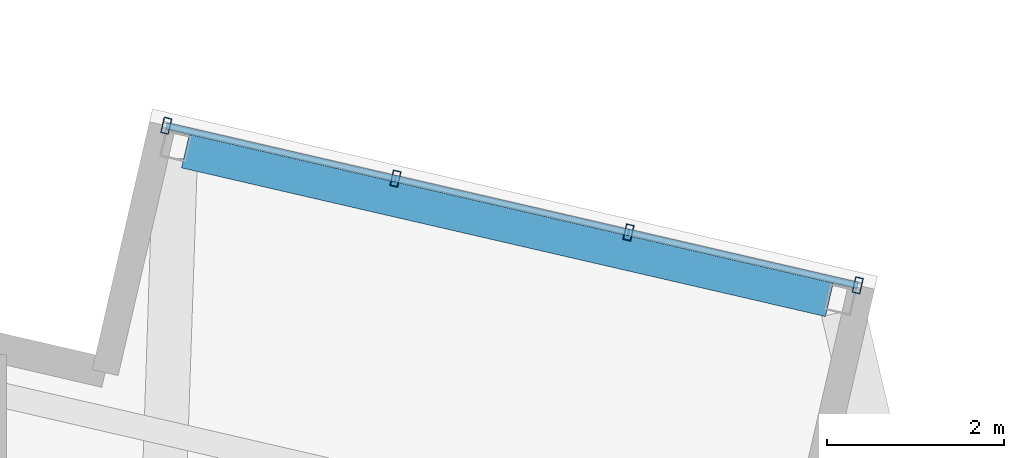
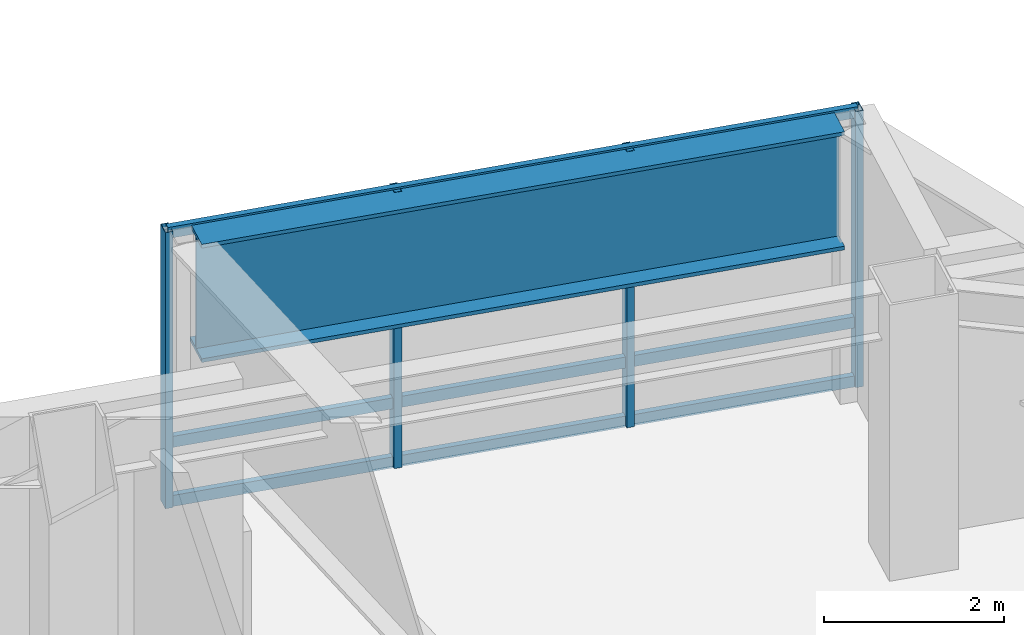
# One storey, part 10 of 23: 7 members, 1 beam, 1 element without a shape of its own.
"""IFC4 building model written with IfcOpenShell, lengths in metres."""

import ifcopenshell
import ifcopenshell.guid

model = None  # the IFC model being written
_history = None  # IfcOwnerHistory: only IFC2X3 demands one
_inside = {}  # id of a spatial element -> (the spatial element, [elements in it])
_under = {}  # id of a project, library or spatial element -> (it, [spatial elements below it])
_declared = {}  # id of a project -> (the project, [libraries it declares])
_typed = {}  # id of a type object -> (the type object, [elements of that type])
_made_of = {}  # id of a material, layer set ... -> (it, [elements and type objects made of it])


def new_model(schema):
    """Start an empty IFC model of exactly this schema.

    Asked for "IFC4X3", IfcOpenShell would pick the latest addendum, in which some entities
    have other attributes; the version numbers below select the first issue.
    IFC2X3 requires an IfcOwnerHistory on every rooted entity: one is made here for all.
    """
    global model, _history
    if schema == "IFC4X3":
        model = ifcopenshell.file(schema_version=(4, 3, 0, 0))
    else:
        model = ifcopenshell.file(schema=schema)
    _inside.clear()
    _under.clear()
    _declared.clear()
    _typed.clear()
    _made_of.clear()
    _history = None
    if model.schema == "IFC2X3":
        org = make("IfcOrganization", Name="unknown")
        user = make(
            "IfcPersonAndOrganization",
            ThePerson=make("IfcPerson", FamilyName="unknown"),
            TheOrganization=org,
        )
        app = make(
            "IfcApplication",
            ApplicationDeveloper=org,
            Version="unknown",
            ApplicationFullName="unknown",
            ApplicationIdentifier="unknown",
        )
        _history = make(
            "IfcOwnerHistory",
            OwningUser=user,
            OwningApplication=app,
            ChangeAction="ADDED",
            CreationDate=0,
        )
    return model


def make(cls, **values):
    """One entity of the class cls with the attributes given. An attribute that is None is left unset."""
    return model.create_entity(
        cls, **{name: value for name, value in values.items() if value is not None}
    )


def rooted(cls, **values):
    """An entity with a GlobalId (a new one), such as an element, a storey or a relation."""
    return make(cls, GlobalId=ifcopenshell.guid.new(), OwnerHistory=_history, **values)


def si_unit(unit_type, name, prefix=None):
    """IfcSIUnit, for example si_unit("LENGTHUNIT", "METRE", prefix="MILLI")."""
    return make("IfcSIUnit", UnitType=unit_type, Prefix=prefix, Name=name)


def assignment(units):
    """IfcUnitAssignment: the units of a project."""
    return None if units is None else make("IfcUnitAssignment", Units=units)


def point(xyz):
    """IfcCartesianPoint."""
    return None if xyz is None else make("IfcCartesianPoint", Coordinates=xyz)


def direction(xyz):
    """IfcDirection."""
    return None if xyz is None else make("IfcDirection", DirectionRatios=xyz)


def frame(location, z_axis=None, x_axis=None):
    """IfcAxis2Placement3D, a coordinate frame: its origin and axes. An axis left out is left unset."""
    return make(
        "IfcAxis2Placement3D",
        Location=point(location),
        Axis=direction(z_axis),
        RefDirection=direction(x_axis),
    )


def frame_2d(location, x_axis=None):
    """IfcAxis2Placement2D, a coordinate frame in the plane: its origin and x axis."""
    return make(
        "IfcAxis2Placement2D", Location=point(location), RefDirection=direction(x_axis)
    )


def origin():
    """The frame at (0, 0, 0) with its axes left unset."""
    return frame((0.0, 0.0, 0.0))


def origin_2d():
    """The frame at (0, 0) in the plane with its x axis left unset."""
    return frame_2d((0.0, 0.0))


def place(relative_to, where):
    """IfcLocalPlacement: puts the frame where relative to a parent placement (None: the world)."""
    return make(
        "IfcLocalPlacement", PlacementRelTo=relative_to, RelativePlacement=where
    )


def context(
    kind, dimensions, precision=None, world=None, true_north=None, identifier=None
):
    """IfcGeometricRepresentationContext, for example the 3D "Model" context."""
    return make(
        "IfcGeometricRepresentationContext",
        ContextIdentifier=identifier,
        ContextType=kind,
        CoordinateSpaceDimension=dimensions,
        Precision=precision,
        WorldCoordinateSystem=world,
        TrueNorth=true_north,
    )


def subcontext(parent, identifier, kind, view, scale=None):
    """IfcGeometricRepresentationSubContext, for example "Body" below "Model"."""
    return make(
        "IfcGeometricRepresentationSubContext",
        ContextIdentifier=identifier,
        ContextType=kind,
        ParentContext=parent,
        TargetScale=scale,
        TargetView=view,
    )


def project(units=None, contexts=None):
    """IfcProject with its units and contexts."""
    return rooted(
        "IfcProject",
        Name="project",
        RepresentationContexts=contexts,
        UnitsInContext=assignment(units),
    )


def spatial(cls, under=None, at=None, **own):
    """A site, building, storey or space (cls), placed at a placement, below another one or the project."""
    s = rooted(cls, ObjectPlacement=at, **own)
    if under is not None:
        _under.setdefault(under.id(), (under, []))[1].append(s)
    return s


def profile(cls, at=None, kind="AREA", **sizes):
    """A parametric profile (cls). Its sizes go by their IFC names, for example OverallWidth=200.0."""
    return make(cls, ProfileType=kind, Position=at, **sizes)


def hollow_rectangle(**sizes):
    """IfcRectangleHollowProfileDef."""
    return profile("IfcRectangleHollowProfileDef", **sizes)


def i_section(**sizes):
    """IfcIShapeProfileDef."""
    return profile("IfcIShapeProfileDef", **sizes)


def extrude(swept, where, along, depth):
    """IfcExtrudedAreaSolid: the profile swept, set in the frame where, extruded along a direction by depth."""
    return make(
        "IfcExtrudedAreaSolid",
        SweptArea=swept,
        Position=where,
        ExtrudedDirection=direction(along),
        Depth=depth,
    )


def shape(context_of_items, identifier, shape_type, items):
    """IfcShapeRepresentation: the items that make up one representation, for example the "Body"."""
    return make(
        "IfcShapeRepresentation",
        ContextOfItems=context_of_items,
        RepresentationIdentifier=identifier,
        RepresentationType=shape_type,
        Items=items,
    )


def material(Name=None, Category=None):
    """IfcMaterial."""
    return make("IfcMaterial", Name=Name, Category=Category)


def layer(
    of_material, thickness, ventilated=None, Name=None, Category=None, Priority=None
):
    """IfcMaterialLayer: one layer of a wall or slab, of a material (None: an air gap)."""
    return make(
        "IfcMaterialLayer",
        Material=of_material,
        LayerThickness=thickness,
        IsVentilated=ventilated,
        Name=Name,
        Category=Category,
        Priority=Priority,
    )


def layer_set(layers, Name=None):
    """IfcMaterialLayerSet."""
    return make("IfcMaterialLayerSet", MaterialLayers=layers, LayerSetName=Name)


def material_profile(
    of_material, cross_section, Name=None, Category=None, Priority=None
):
    """IfcMaterialProfile: a cross section and its material."""
    return make(
        "IfcMaterialProfile",
        Name=Name,
        Material=of_material,
        Profile=cross_section,
        Priority=Priority,
        Category=Category,
    )


def profile_set(profiles, Name=None, composite=None):
    """IfcMaterialProfileSet."""
    return make(
        "IfcMaterialProfileSet",
        Name=Name,
        MaterialProfiles=profiles,
        CompositeProfile=composite,
    )


def made_of(thing, what):
    """Note that an element or type object is made of a material, layer set ...; save() writes the relation."""
    if what is not None:
        _made_of.setdefault(what.id(), (what, []))[1].append(thing)
    return thing


def type_object(cls, material=None, **own):
    """A type object (cls), such as IfcWallType, which elements share."""
    return made_of(rooted(cls, **own), material)


def element(
    cls,
    number,
    at=None,
    inside=None,
    cuts=None,
    type_object=None,
    material=None,
    context=None,
    identifier="Body",
    shape_type=None,
    held_by="IfcProductDefinitionShape",
    body=None,
    shapes=None,
    **own,
):
    """One element of the class cls, such as IfcWall. Its Tag is "e" and its number.

    at: its placement. inside: the storey or other place that contains it. cuts: it is an
    opening in that element (IfcRelVoidsElement). A single representation is given by context,
    identifier, shape_type and body (its items); several are given by shapes. held_by: the class
    of the entity that holds the representations. save() writes the other relations.
    """
    e = rooted(cls, Tag="e%d" % number, ObjectPlacement=at, **own)
    if body is not None:
        shapes = [shape(context, identifier, shape_type, body)]
    if shapes is not None:
        e.Representation = make(held_by, Representations=shapes)
    if inside is not None:
        _inside.setdefault(inside.id(), (inside, []))[1].append(e)
    if cuts is not None:
        rooted(
            "IfcRelVoidsElement", RelatingBuildingElement=cuts, RelatedOpeningElement=e
        )
    if type_object is not None:
        _typed.setdefault(type_object.id(), (type_object, []))[1].append(e)
    return made_of(e, material)


def aggregate(whole, parts):
    """IfcRelAggregates: a whole, such as a stair, and the parts it consists of."""
    return rooted("IfcRelAggregates", RelatingObject=whole, RelatedObjects=parts)


def save(model, path):
    """Write the relations noted so far, then the file.

    IfcRelAggregates (storeys below a building ...), IfcRelContainedInSpatialStructure (elements
    in a storey), IfcRelDefinesByType, IfcRelAssociatesMaterial and IfcRelDeclares: one each for
    every whole, place, type object, material and project.
    """
    for whole, parts in _under.values():
        aggregate(whole, parts)
    for where, things in _inside.values():
        rooted(
            "IfcRelContainedInSpatialStructure",
            RelatedElements=things,
            RelatingStructure=where,
        )
    for kind, things in _typed.values():
        rooted("IfcRelDefinesByType", RelatedObjects=things, RelatingType=kind)
    for what, things in _made_of.values():
        rooted("IfcRelAssociatesMaterial", RelatedObjects=things, RelatingMaterial=what)
    for by, libraries in _declared.values():
        rooted("IfcRelDeclares", RelatingContext=by, RelatedDefinitions=libraries)
    model.write(path)


model = new_model("IFC4")

# Units and contexts
model_context = context("Model", 3, precision=1e-05, world=origin(), true_north=direction((0.0, 1.0)))
body_context = subcontext(model_context, "Body", "Model", "MODEL_VIEW")
ifc_project = project(units=[si_unit("LENGTHUNIT", "METRE"), si_unit("AREAUNIT", "SQUARE_METRE"), si_unit("VOLUMEUNIT", "CUBIC_METRE"), si_unit("PLANEANGLEUNIT", "RADIAN"), si_unit("MASSUNIT", "GRAM", prefix="KILO")], contexts=[model_context])

# Site, building, storey
site_placement = place(None, origin())
site = spatial("IfcSite", under=ifc_project, at=site_placement, CompositionType="ELEMENT")
building_placement = place(site_placement, origin())
building = spatial("IfcBuilding", under=site, at=building_placement, Name="Tavrogorsk Clinical Tower", CompositionType="ELEMENT")
storey_placement = place(building_placement, frame((0.0, 0.0, 63.39990234375)))
storey = spatial("IfcBuildingStorey", under=building, at=storey_placement, Name="L13", CompositionType="ELEMENT", Elevation=63.39990234375)

# Curtain wall, members
ifc_material_1 = material(Name="Anodised aluminium and triple IGU glazing", Category="aluminium")
ifc_layer = layer(ifc_material_1, 0.179931640625)
ifc_layer_set = layer_set([ifc_layer], Name="Anodised aluminium and triple IGU glazing")
curtain_wall_type = type_object("IfcCurtainWallType", Name="CW4_DayroomBox", PredefinedType="NOTDEFINED", material=ifc_layer_set)
curtain_wall_placement = place(storey_placement, origin())
curtain_wall = element("IfcCurtainWall", 1, at=curtain_wall_placement, inside=storey, type_object=curtain_wall_type, Name="L13 Curtain Wall CW-DRB-02-L13", PredefinedType="NOTDEFINED")
ifc_material_2 = material(Name="Anodised aluminium alloy AW-6060", Category="aluminium")
ifc_material_profile_1 = material_profile(ifc_material_2, hollow_rectangle(XDim=0.090087890625, YDim=0.179931640625, WallThickness=0.00634765625, at=origin_2d()), Name="RHS-180x90x6.3")
ifc_profile_set_1 = profile_set([ifc_material_profile_1], Name="Anodised aluminium alloy AW-6060")
member_type_1 = type_object("IfcMemberType", Name="CwMullion_180x90", PredefinedType="MULLION", material=ifc_profile_set_1)
member_1_placement = place(storey_placement, frame((10.78173828125, 24.201171875, 0.0), z_axis=(0.0, 0.0, 1.0), x_axis=(0.974370049065, -0.224951122436, 0.0)))
member_1 = element("IfcMember", 2, at=member_1_placement, type_object=member_type_1, Name="CW-DRB-02-L13 Mullion 1", PredefinedType="MULLION", context=body_context, shape_type="SweptSolid", body=[
    extrude(hollow_rectangle(XDim=0.090087890625, YDim=0.179931640625, WallThickness=0.00634765625, at=origin_2d()), origin(), (0.0, 0.0, 1.0), 3.739990234375),
])
member_2_placement = place(storey_placement, frame((13.368896484375, 23.60400390625, 0.0), z_axis=(0.0, 0.0, 1.0), x_axis=(0.974370049065, -0.224951122436, 0.0)))
member_2 = element("IfcMember", 3, at=member_2_placement, type_object=member_type_1, Name="CW-DRB-02-L13 Mullion 2", PredefinedType="MULLION", context=body_context, shape_type="SweptSolid", body=[
    extrude(hollow_rectangle(XDim=0.090087890625, YDim=0.179931640625, WallThickness=0.00634765625, at=origin_2d()), origin(), (0.0, 0.0, 1.0), 3.739990234375),
])
member_3_placement = place(storey_placement, frame((15.99951171875, 22.99658203125, 0.0), z_axis=(0.0, 0.0, 1.0), x_axis=(0.974370049065, -0.224951122436, 0.0)))
member_3 = element("IfcMember", 4, at=member_3_placement, type_object=member_type_1, Name="CW-DRB-02-L13 Mullion 3", PredefinedType="MULLION", context=body_context, shape_type="SweptSolid", body=[
    extrude(hollow_rectangle(XDim=0.090087890625, YDim=0.179931640625, WallThickness=0.00634765625, at=origin_2d()), origin(), (0.0, 0.0, 1.0), 3.739990234375),
])
member_4_placement = place(storey_placement, frame((18.58642578125, 22.399169921875, 0.0), z_axis=(0.0, 0.0, 1.0), x_axis=(0.974370049065, -0.224951122436, 0.0)))
member_4 = element("IfcMember", 5, at=member_4_placement, type_object=member_type_1, Name="CW-DRB-02-L13 Mullion 4", PredefinedType="MULLION", context=body_context, shape_type="SweptSolid", body=[
    extrude(hollow_rectangle(XDim=0.090087890625, YDim=0.179931640625, WallThickness=0.00634765625, at=origin_2d()), origin(), (0.0, 0.0, 1.0), 3.739990234375),
])
ifc_material_3 = material(Name="Anodised aluminium alloy AW-6060", Category="aluminium")
ifc_material_profile_2 = material_profile(ifc_material_3, hollow_rectangle(XDim=0.074951171875, YDim=0.14990234375, WallThickness=0.0048828125, at=origin_2d()), Name="RHS-150x75x5")
ifc_profile_set_2 = profile_set([ifc_material_profile_2], Name="Anodised aluminium alloy AW-6060")
member_type_2 = type_object("IfcMemberType", Name="CwTransom_150x75", PredefinedType="USERDEFINED", material=ifc_profile_set_2)
member_5_placement = place(storey_placement, frame((10.78173828125, 24.201171875, 0.050048828125), z_axis=(0.974366018385, -0.224968580509, 0.0), x_axis=(0.224968580509, 0.974366018385, 0.0)))
member_5 = element("IfcMember", 6, at=member_5_placement, type_object=member_type_2, Name="CW-DRB-02-L13 Transom 1", ObjectType="TRANSOM", PredefinedType="USERDEFINED", context=body_context, shape_type="SweptSolid", body=[
    extrude(hollow_rectangle(XDim=0.074951171875, YDim=0.14990234375, WallThickness=0.0048828125, at=origin_2d()), origin(), (0.0, 0.0, 1.0), 8.010009765625),
])
member_6_placement = place(storey_placement, frame((10.78173828125, 24.201171875, 0.85009765625), z_axis=(0.974366018385, -0.224968580509, 0.0), x_axis=(0.224968580509, 0.974366018385, 0.0)))
member_6 = element("IfcMember", 7, at=member_6_placement, type_object=member_type_2, Name="CW-DRB-02-L13 Transom 2", ObjectType="TRANSOM", PredefinedType="USERDEFINED", context=body_context, shape_type="SweptSolid", body=[
    extrude(hollow_rectangle(XDim=0.074951171875, YDim=0.14990234375, WallThickness=0.0048828125, at=origin_2d()), origin(), (0.0, 0.0, 1.0), 8.010009765625),
])
member_7_placement = place(storey_placement, frame((10.78173828125, 24.201171875, 3.690185546875), z_axis=(0.974366018385, -0.224968580509, 0.0), x_axis=(0.224968580509, 0.974366018385, 0.0)))
member_7 = element("IfcMember", 8, at=member_7_placement, type_object=member_type_2, Name="CW-DRB-02-L13 Transom 3", ObjectType="TRANSOM", PredefinedType="USERDEFINED", context=body_context, shape_type="SweptSolid", body=[
    extrude(hollow_rectangle(XDim=0.074951171875, YDim=0.14990234375, WallThickness=0.0048828125, at=origin_2d()), origin(), (0.0, 0.0, 1.0), 8.010009765625),
])
aggregate(curtain_wall, [member_1, member_2, member_3, member_4, member_5, member_6, member_7])

# Beam
ifc_material_4 = material(Name="Structural steel S440", Category="steel")
ifc_material_profile_3 = material_profile(ifc_material_4, i_section(OverallWidth=0.449951171875, OverallDepth=1.60009765625, WebThickness=0.031982421875, FlangeThickness=0.050048828125, at=origin_2d()), Name="DK-1600x450x32x50")
ifc_profile_set_3 = profile_set([ifc_material_profile_3], Name="Structural steel S440")
beam_type = type_object("IfcBeamType", Name="TransferGirder_DK1600", PredefinedType="USERDEFINED", material=ifc_profile_set_3)
beam_placement = place(storey_placement, frame((11.0048828125, 23.9443359375, 2.940185546875), z_axis=(0.974374645804, -0.224931210849, 0.0), x_axis=(0.224931210849, 0.974374645804, 0.0)))
element("IfcBeam", 9, at=beam_placement, inside=storey, type_object=beam_type, Name="L13 Day-Room Front Edge Beam DRB-02", ObjectType="GIRDER", PredefinedType="USERDEFINED", context=body_context, shape_type="SweptSolid", body=[
    extrude(i_section(OverallWidth=0.449951171875, OverallDepth=1.60009765625, WebThickness=0.031982421875, FlangeThickness=0.050048828125, at=origin_2d()), origin(), (0.0, 0.0, 1.0), 7.4599609375),
])

save(model, "model.ifc")
